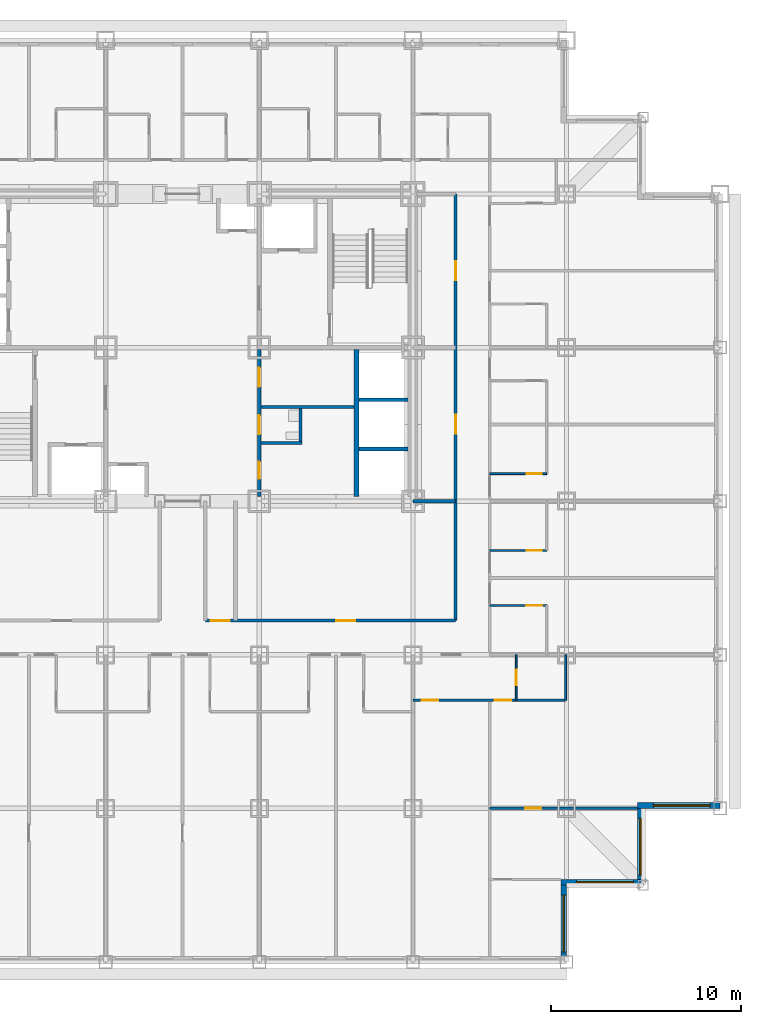
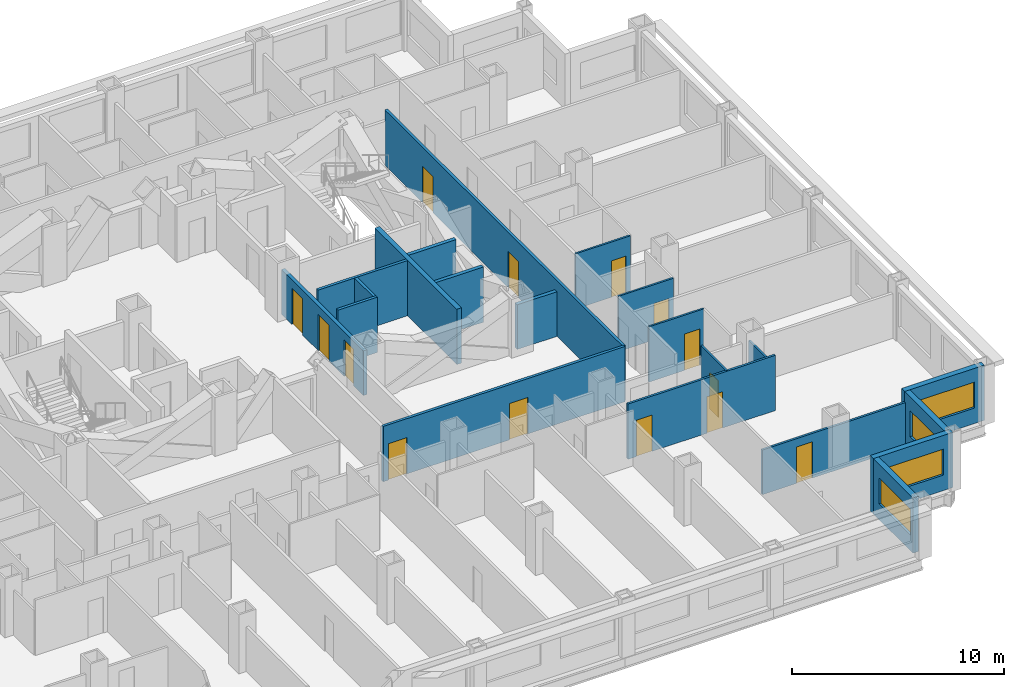
# One storey, part 6 of 12: 21 walls, 14 doors, 4 windows, 18 openings.
"""IFC4 building model written with IfcOpenShell, lengths in metres."""

from ifc_helpers import new_model, si_unit, direction, frame, frame_2d, origin, place, context, subcontext, project, spatial, rectangle, extrude, material, layer, layer_set, type_object, element, fill, save


model = new_model("IFC4")

# Units and contexts
model_context = context("Model", 3, precision=1e-05, world=origin(), true_north=direction((0.0, 1.0)))
body_context = subcontext(model_context, "Body", "Model", "MODEL_VIEW")
ifc_project = project(units=[si_unit("LENGTHUNIT", "METRE"), si_unit("AREAUNIT", "SQUARE_METRE"), si_unit("VOLUMEUNIT", "CUBIC_METRE"), si_unit("PLANEANGLEUNIT", "RADIAN"), si_unit("MASSUNIT", "GRAM", prefix="KILO")], contexts=[model_context])

# Site, building, storey
site_placement = place(None, origin())
site = spatial("IfcSite", under=ifc_project, at=site_placement, CompositionType="ELEMENT")
building_placement = place(site_placement, origin())
building = spatial("IfcBuilding", under=site, at=building_placement, Name="Kopane Lantern Tower", CompositionType="ELEMENT")
storey_placement = place(building_placement, frame((0.0, 0.0, 36.39990234375)))
storey = spatial("IfcBuildingStorey", under=building, at=storey_placement, Name="L07", CompositionType="ELEMENT", Elevation=36.39990234375)

# Wall, openings, doors
ifc_material_1 = material(Name="Gypsum board on steel studs", Category="steel")
ifc_layer_1 = layer(ifc_material_1, 0.1201171875)
ifc_layer_set_1 = layer_set([ifc_layer_1], Name="APARTMENT INTERNAL WALL 120")
wall_type_1 = type_object("IfcWallType", Name="APARTMENT INTERNAL WALL 120", PredefinedType="PARTITIONING", material=ifc_layer_set_1)
wall_1_placement = place(storey_placement, frame((40.5, 13.800048828125, 0.0), z_axis=(0.0, 0.0, 1.0), x_axis=(1.0, 0.0, 0.0)))
wall_1 = element("IfcWall", 1, at=wall_1_placement, inside=storey, type_object=wall_type_1, Name="Apartment Internal Wall 120 L07", PredefinedType="PARTITIONING", context=body_context, shape_type="SweptSolid", body=[
    extrude(rectangle(XDim=8.050048828125, YDim=0.1201171875, at=frame_2d((4.02490234375, 0.0))), origin(), (0.0, 0.0, 1.0), 3.190185546875),
])
opening_1_placement = place(wall_1_placement, frame((0.47509765625, 0.0, 0.0)))
opening_1 = element("IfcOpeningElement", 2, at=opening_1_placement, cuts=wall_1, Name="Opening L07-065", PredefinedType="OPENING", context=body_context, shape_type="SweptSolid", body=[
    extrude(rectangle(XDim=0.85009765625, YDim=2.10009765625, at=frame_2d((0.425048828125, 1.050048828125))), frame((0.0, 0.070068359375, 0.0), z_axis=(0.0, -1.0, 0.0), x_axis=(1.0, 0.0, 0.0)), (0.0, 0.0, 1.0), 0.14013671875),
])
opening_2_placement = place(wall_1_placement, frame((4.324951171875, 0.0, 0.0)))
opening_2 = element("IfcOpeningElement", 3, at=opening_2_placement, cuts=wall_1, Name="Opening L07-067", PredefinedType="OPENING", context=body_context, shape_type="SweptSolid", body=[
    extrude(rectangle(XDim=0.85009765625, YDim=2.10009765625, at=frame_2d((0.425048828125, 1.050048828125))), frame((0.0, 0.070068359375, 0.0), z_axis=(0.0, -1.0, 0.0), x_axis=(1.0, 0.0, 0.0)), (0.0, 0.0, 1.0), 0.14013671875),
])
ifc_material_2 = material(Name="Timber door set", Category="wood")
door_type_1 = type_object("IfcDoorType", Name="DOOR D4 850x2100", OperationType="SINGLE_SWING_LEFT", PredefinedType="DOOR", material=ifc_material_2)
door_1_placement = place(opening_1_placement, origin())
door_1 = element("IfcDoor", 4, at=door_1_placement, inside=storey, type_object=door_type_1, Name="Door L07-065", OperationType="SINGLE_SWING_LEFT", OverallHeight=2.10009765625, OverallWidth=0.85009765625, PredefinedType="DOOR", context=body_context, shape_type="SweptSolid", body=[
    extrude(rectangle(XDim=0.85009765625, YDim=2.10009765625, at=frame_2d((0.425048828125, 1.050048828125))), frame((0.0, 0.02490234375, 0.0), z_axis=(0.0, -1.0, 0.0), x_axis=(1.0, 0.0, 0.0)), (0.0, 0.0, 1.0), 0.050048828125),
])
fill(opening_1, door_1)
door_2_placement = place(opening_2_placement, origin())
door_2 = element("IfcDoor", 5, at=door_2_placement, inside=storey, type_object=door_type_1, Name="Door L07-067", OperationType="SINGLE_SWING_RIGHT", OverallHeight=2.10009765625, OverallWidth=0.85009765625, PredefinedType="DOOR", context=body_context, shape_type="SweptSolid", body=[
    extrude(rectangle(XDim=0.85009765625, YDim=2.10009765625, at=frame_2d((0.425048828125, 1.050048828125))), frame((0.0, 0.02490234375, 0.0), z_axis=(0.0, -1.0, 0.0), x_axis=(1.0, 0.0, 0.0)), (0.0, 0.0, 1.0), 0.050048828125),
])
fill(opening_2, door_2)

# Wall, opening, door
wall_2_placement = place(storey_placement, frame((44.550048828125, 8.10009765625, 0.0), z_axis=(0.0, 0.0, 1.0), x_axis=(1.0, 0.0, 0.0)))
wall_2 = element("IfcWall", 6, at=wall_2_placement, inside=storey, type_object=wall_type_1, Name="Apartment Internal Wall 120 L07", PredefinedType="PARTITIONING", context=body_context, shape_type="SweptSolid", body=[
    extrude(rectangle(XDim=7.800048828125, YDim=0.1201171875, at=frame_2d((3.89990234375, 0.0))), origin(), (0.0, 0.0, 1.0), 2.577880859375),
])
opening_3_placement = place(wall_2_placement, frame((1.875, 0.0, 0.0)))
opening_3 = element("IfcOpeningElement", 7, at=opening_3_placement, cuts=wall_2, Name="Opening L07-068", PredefinedType="OPENING", context=body_context, shape_type="SweptSolid", body=[
    extrude(rectangle(XDim=0.85009765625, YDim=2.10009765625, at=frame_2d((0.425048828125, 1.050048828125))), frame((0.0, 0.070068359375, 0.0), z_axis=(0.0, -1.0, 0.0), x_axis=(1.0, 0.0, 0.0)), (0.0, 0.0, 1.0), 0.14013671875),
])
door_3_placement = place(opening_3_placement, origin())
door_3 = element("IfcDoor", 8, at=door_3_placement, inside=storey, type_object=door_type_1, Name="Door L07-068", OperationType="SINGLE_SWING_LEFT", OverallHeight=2.10009765625, OverallWidth=0.85009765625, PredefinedType="DOOR", context=body_context, shape_type="SweptSolid", body=[
    extrude(rectangle(XDim=0.85009765625, YDim=2.10009765625, at=frame_2d((0.425048828125, 1.050048828125))), frame((0.0, 0.02490234375, 0.0), z_axis=(0.0, -1.0, 0.0), x_axis=(1.0, 0.0, 0.0)), (0.0, 0.0, 1.0), 0.050048828125),
])
fill(opening_3, door_3)

ifc_material_3 = material(Name="Moisture-resistant board on steel studs", Category="steel")
ifc_layer_2 = layer(ifc_material_3, 0.10009765625)
ifc_layer_set_2 = layer_set([ifc_layer_2], Name="BATHROOM WALL 100")
wall_type_2 = type_object("IfcWallType", Name="BATHROOM WALL 100", PredefinedType="PARTITIONING", material=ifc_layer_set_2)
wall_3_placement = place(storey_placement, frame((44.550048828125, 18.800048828125, 0.0), z_axis=(0.0, 0.0, 1.0), x_axis=(1.0, 0.0, 0.0)))
wall_3 = element("IfcWall", 9, at=wall_3_placement, inside=storey, type_object=wall_type_2, Name="Bathroom Wall 100 L07", PredefinedType="PARTITIONING", context=body_context, shape_type="SweptSolid", body=[
    extrude(rectangle(XDim=3.0, YDim=0.10009765625, at=frame_2d((1.5, 0.0))), origin(), (0.0, 0.0, 1.0), 3.190185546875),
])
opening_4_placement = place(wall_3_placement, frame((1.925048828125, 0.0, 0.0)))
opening_4 = element("IfcOpeningElement", 10, at=opening_4_placement, cuts=wall_3, Name="Opening L07-047", PredefinedType="OPENING", context=body_context, shape_type="SweptSolid", body=[
    extrude(rectangle(XDim=0.85009765625, YDim=2.10009765625, at=frame_2d((0.425048828125, 1.050048828125))), frame((0.0, 0.06005859375, 0.0), z_axis=(0.0, -1.0, 0.0), x_axis=(1.0, 0.0, 0.0)), (0.0, 0.0, 1.0), 0.1201171875),
])
door_4_placement = place(opening_4_placement, origin())
door_4 = element("IfcDoor", 11, at=door_4_placement, inside=storey, type_object=door_type_1, Name="Door L07-047", OperationType="SINGLE_SWING_LEFT", OverallHeight=2.10009765625, OverallWidth=0.85009765625, PredefinedType="DOOR", context=body_context, shape_type="SweptSolid", body=[
    extrude(rectangle(XDim=0.85009765625, YDim=2.10009765625, at=frame_2d((0.425048828125, 1.050048828125))), frame((0.0, 0.02490234375, 0.0), z_axis=(0.0, -1.0, 0.0), x_axis=(1.0, 0.0, 0.0)), (0.0, 0.0, 1.0), 0.050048828125),
])
fill(opening_4, door_4)

wall_4_placement = place(storey_placement, frame((44.550048828125, 21.699951171875, 0.0), z_axis=(0.0, 0.0, 1.0), x_axis=(1.0, 0.0, 0.0)))
wall_4 = element("IfcWall", 12, at=wall_4_placement, inside=storey, type_object=wall_type_2, Name="Bathroom Wall 100 L07", PredefinedType="PARTITIONING", context=body_context, shape_type="SweptSolid", body=[
    extrude(rectangle(XDim=3.0, YDim=0.10009765625, at=frame_2d((1.5, 0.0))), origin(), (0.0, 0.0, 1.0), 3.190185546875),
])
opening_5_placement = place(wall_4_placement, frame((1.949951171875, 0.0, 0.0)))
opening_5 = element("IfcOpeningElement", 13, at=opening_5_placement, cuts=wall_4, Name="Opening L07-049", PredefinedType="OPENING", context=body_context, shape_type="SweptSolid", body=[
    extrude(rectangle(XDim=0.800048828125, YDim=2.10009765625, at=frame_2d((0.39990234375, 1.050048828125))), frame((0.0, 0.06005859375, 0.0), z_axis=(0.0, -1.0, 0.0), x_axis=(1.0, 0.0, 0.0)), (0.0, 0.0, 1.0), 0.1201171875),
])
ifc_material_4 = material(Name="Timber door set", Category="wood")
door_type_2 = type_object("IfcDoorType", Name="DOOR D2 800x2100", OperationType="SINGLE_SWING_LEFT", PredefinedType="DOOR", material=ifc_material_4)
door_5_placement = place(opening_5_placement, origin())
door_5 = element("IfcDoor", 14, at=door_5_placement, inside=storey, type_object=door_type_2, Name="Door L07-049", OperationType="SINGLE_SWING_RIGHT", OverallHeight=2.10009765625, OverallWidth=0.800048828125, PredefinedType="DOOR", context=body_context, shape_type="SweptSolid", body=[
    extrude(rectangle(XDim=0.800048828125, YDim=2.10009765625, at=frame_2d((0.39990234375, 1.050048828125))), frame((0.0, 0.02490234375, 0.0), z_axis=(0.0, -1.0, 0.0), x_axis=(1.0, 0.0, 0.0)), (0.0, 0.0, 1.0), 0.050048828125),
])
fill(opening_5, door_5)

wall_5_placement = place(storey_placement, frame((44.550048828125, 25.75, 0.0), z_axis=(0.0, 0.0, 1.0), x_axis=(1.0, 0.0, 0.0)))
wall_5 = element("IfcWall", 15, at=wall_5_placement, inside=storey, type_object=wall_type_2, Name="Bathroom Wall 100 L07", PredefinedType="PARTITIONING", context=body_context, shape_type="SweptSolid", body=[
    extrude(rectangle(XDim=3.0, YDim=0.10009765625, at=frame_2d((1.5, 0.0))), origin(), (0.0, 0.0, 1.0), 3.190185546875),
])
opening_6_placement = place(wall_5_placement, frame((1.949951171875, 0.0, 0.0)))
opening_6 = element("IfcOpeningElement", 16, at=opening_6_placement, cuts=wall_5, Name="Opening L07-051", PredefinedType="OPENING", context=body_context, shape_type="SweptSolid", body=[
    extrude(rectangle(XDim=0.800048828125, YDim=2.10009765625, at=frame_2d((0.39990234375, 1.050048828125))), frame((0.0, 0.06005859375, 0.0), z_axis=(0.0, -1.0, 0.0), x_axis=(1.0, 0.0, 0.0)), (0.0, 0.0, 1.0), 0.1201171875),
])
door_6_placement = place(opening_6_placement, origin())
door_6 = element("IfcDoor", 17, at=door_6_placement, inside=storey, type_object=door_type_2, Name="Door L07-051", OperationType="SINGLE_SWING_RIGHT", OverallHeight=2.10009765625, OverallWidth=0.800048828125, PredefinedType="DOOR", context=body_context, shape_type="SweptSolid", body=[
    extrude(rectangle(XDim=0.800048828125, YDim=2.10009765625, at=frame_2d((0.39990234375, 1.050048828125))), frame((0.0, 0.02490234375, 0.0), z_axis=(0.0, -1.0, 0.0), x_axis=(1.0, 0.0, 0.0)), (0.0, 0.0, 1.0), 0.050048828125),
])
fill(opening_6, door_6)

wall_6_placement = place(storey_placement, frame((45.949951171875, 16.199951171875, 0.0), z_axis=(0.0, 0.0, 1.0), x_axis=(0.0, -1.0, 0.0)))
wall_6 = element("IfcWall", 18, at=wall_6_placement, inside=storey, type_object=wall_type_2, Name="Bathroom Wall 100 L07", PredefinedType="PARTITIONING", context=body_context, shape_type="SweptSolid", body=[
    extrude(rectangle(XDim=2.39990234375, YDim=0.10009765625, at=frame_2d((1.199951171875, 0.0))), origin(), (0.0, 0.0, 1.0), 3.190185546875),
])
opening_7_placement = place(wall_6_placement, frame((0.800048828125, 0.0, 0.0)))
opening_7 = element("IfcOpeningElement", 19, at=opening_7_placement, cuts=wall_6, Name="Opening L07-066", PredefinedType="OPENING", context=body_context, shape_type="SweptSolid", body=[
    extrude(rectangle(XDim=0.800048828125, YDim=2.10009765625, at=frame_2d((0.39990234375, 1.050048828125))), frame((0.0, 0.06005859375, 0.0), z_axis=(0.0, -1.0, 0.0), x_axis=(1.0, 0.0, 0.0)), (0.0, 0.0, 1.0), 0.1201171875),
])
door_7_placement = place(opening_7_placement, origin())
door_7 = element("IfcDoor", 20, at=door_7_placement, inside=storey, type_object=door_type_2, Name="Door L07-066", OperationType="SINGLE_SWING_LEFT", OverallHeight=2.10009765625, OverallWidth=0.800048828125, PredefinedType="DOOR", context=body_context, shape_type="SweptSolid", body=[
    extrude(rectangle(XDim=0.800048828125, YDim=2.10009765625, at=frame_2d((0.39990234375, 1.050048828125))), frame((0.0, 0.02490234375, 0.0), z_axis=(0.0, -1.0, 0.0), x_axis=(1.0, 0.0, 0.0)), (0.0, 0.0, 1.0), 0.050048828125),
])
fill(opening_7, door_7)

# Walls
wall_7_placement = place(storey_placement, frame((48.550048828125, 16.199951171875, 0.0), z_axis=(0.0, 0.0, 1.0), x_axis=(0.0, -1.0, 0.0)))
element("IfcWall", 21, at=wall_7_placement, inside=storey, type_object=wall_type_2, Name="Bathroom Wall 100 L07", PredefinedType="PARTITIONING", context=body_context, shape_type="SweptSolid", body=[
    extrude(rectangle(XDim=2.39990234375, YDim=0.10009765625, at=frame_2d((1.199951171875, 0.0))), origin(), (0.0, 0.0, 1.0), 2.577880859375),
])
ifc_material_5 = material(Name="Gypsum partition EI 60", Category="gypsum")
ifc_layer_3 = layer(ifc_material_5, 0.14990234375)
ifc_layer_set_3 = layer_set([ifc_layer_3], Name="CORE ROOM PARTITION 150 EI 60")
wall_type_3 = type_object("IfcWallType", Name="CORE ROOM PARTITION 150 EI 60", PredefinedType="PARTITIONING", material=ifc_layer_set_3)
wall_8_placement = place(storey_placement, frame((32.5, 27.375, 0.0), z_axis=(0.0, 0.0, 1.0), x_axis=(1.0, 0.0, 0.0)))
element("IfcWall", 22, at=wall_8_placement, inside=storey, type_object=wall_type_3, Name="Core room partition L07 E1", PredefinedType="PARTITIONING", context=body_context, shape_type="SweptSolid", body=[
    extrude(rectangle(XDim=2.14990234375, YDim=0.14990234375, at=frame_2d((1.074951171875, 0.0))), origin(), (0.0, 0.0, 1.0), 3.190185546875),
])
wall_9_placement = place(storey_placement, frame((32.5, 29.27490234375, 0.0), z_axis=(0.0, 0.0, 1.0), x_axis=(1.0, 0.0, 0.0)))
element("IfcWall", 23, at=wall_9_placement, inside=storey, type_object=wall_type_3, Name="Core room partition L07 E2", PredefinedType="PARTITIONING", context=body_context, shape_type="SweptSolid", body=[
    extrude(rectangle(XDim=4.89990234375, YDim=0.14990234375, at=frame_2d((2.449951171875, 0.0))), origin(), (0.0, 0.0, 1.0), 3.190185546875),
])
wall_10_placement = place(storey_placement, frame((34.574951171875, 27.449951171875, 0.0), z_axis=(0.0, 0.0, 1.0), x_axis=(0.0, 1.0, 0.0)))
element("IfcWall", 24, at=wall_10_placement, inside=storey, type_object=wall_type_3, Name="Core room partition L07 EB1", PredefinedType="PARTITIONING", context=body_context, shape_type="SweptSolid", body=[
    extrude(rectangle(XDim=1.75, YDim=0.14990234375, at=frame_2d((0.875, 0.0))), origin(), (0.0, 0.0, 1.0), 3.190185546875),
])

# Wall, openings, doors
ifc_material_6 = material(Name="Gypsum partition EI 60", Category="gypsum")
ifc_layer_4 = layer(ifc_material_6, 0.199951171875)
ifc_layer_set_4 = layer_set([ifc_layer_4], Name="CORE ROOM WALL 200 EI 60")
wall_type_4 = type_object("IfcWallType", Name="CORE ROOM WALL 200 EI 60", PredefinedType="PARTITIONING", material=ifc_layer_set_4)
wall_11_placement = place(storey_placement, frame((32.39990234375, 24.550048828125, 0.0), z_axis=(0.0, 0.0, 1.0), x_axis=(0.0, 1.0, 0.0)))
wall_11 = element("IfcWall", 25, at=wall_11_placement, inside=storey, type_object=wall_type_4, Name="Core room wall L07 XE", PredefinedType="PARTITIONING", context=body_context, shape_type="SweptSolid", body=[
    extrude(rectangle(XDim=7.75, YDim=0.199951171875, at=frame_2d((3.875, 0.0))), origin(), (0.0, 0.0, 1.0), 2.577880859375),
])
opening_8_placement = place(wall_11_placement, frame((0.925048828125, 0.0, 0.0)))
opening_8 = element("IfcOpeningElement", 26, at=opening_8_placement, cuts=wall_11, Name="Opening 07.C20", PredefinedType="OPENING", context=body_context, shape_type="SweptSolid", body=[
    extrude(rectangle(XDim=0.89990234375, YDim=2.10009765625, at=frame_2d((0.449951171875, 1.050048828125))), frame((0.0, 0.10986328125, 0.0), z_axis=(0.0, -1.0, 0.0), x_axis=(1.0, 0.0, 0.0)), (0.0, 0.0, 1.0), 0.219970703125),
])
opening_9_placement = place(wall_11_placement, frame((3.27490234375, 0.0, 0.0)))
opening_9 = element("IfcOpeningElement", 27, at=opening_9_placement, cuts=wall_11, Name="Opening 07.C21", PredefinedType="OPENING", context=body_context, shape_type="SweptSolid", body=[
    extrude(rectangle(XDim=1.0, YDim=2.10009765625, at=frame_2d((0.5, 1.050048828125))), frame((0.0, 0.10986328125, 0.0), z_axis=(0.0, -1.0, 0.0), x_axis=(1.0, 0.0, 0.0)), (0.0, 0.0, 1.0), 0.219970703125),
])
opening_10_placement = place(wall_11_placement, frame((5.77490234375, 0.0, 0.0)))
opening_10 = element("IfcOpeningElement", 28, at=opening_10_placement, cuts=wall_11, Name="Opening 07.C22", PredefinedType="OPENING", context=body_context, shape_type="SweptSolid", body=[
    extrude(rectangle(XDim=1.0, YDim=2.10009765625, at=frame_2d((0.5, 1.050048828125))), frame((0.0, 0.10986328125, 0.0), z_axis=(0.0, -1.0, 0.0), x_axis=(1.0, 0.0, 0.0)), (0.0, 0.0, 1.0), 0.219970703125),
])
ifc_material_7 = material(Name="Steel door set", Category="steel")
door_type_3 = type_object("IfcDoorType", Name="CORE ROOM DOOR 1000x2100 FD30S", OperationType="SINGLE_SWING_RIGHT", PredefinedType="DOOR", material=ifc_material_7)
door_8_placement = place(opening_9_placement, origin())
door_8 = element("IfcDoor", 29, at=door_8_placement, inside=storey, type_object=door_type_3, Name="Door Staff WC L07", OperationType="SINGLE_SWING_LEFT", OverallHeight=2.10009765625, OverallWidth=1.0, PredefinedType="DOOR", context=body_context, shape_type="SweptSolid", body=[
    extrude(rectangle(XDim=1.0, YDim=2.10009765625, at=frame_2d((0.5, 1.050048828125))), frame((0.0, 0.02490234375, 0.0), z_axis=(0.0, -1.0, 0.0), x_axis=(1.0, 0.0, 0.0)), (0.0, 0.0, 1.0), 0.050048828125),
])
fill(opening_9, door_8)
door_9_placement = place(opening_10_placement, origin())
door_9 = element("IfcDoor", 30, at=door_9_placement, inside=storey, type_object=door_type_3, Name="Door Guest pantry L07", OperationType="SINGLE_SWING_RIGHT", OverallHeight=2.10009765625, OverallWidth=1.0, PredefinedType="DOOR", context=body_context, shape_type="SweptSolid", body=[
    extrude(rectangle(XDim=1.0, YDim=2.10009765625, at=frame_2d((0.5, 1.050048828125))), frame((0.0, 0.02490234375, 0.0), z_axis=(0.0, -1.0, 0.0), x_axis=(1.0, 0.0, 0.0)), (0.0, 0.0, 1.0), 0.050048828125),
])
fill(opening_10, door_9)
ifc_material_8 = material(Name="Steel door set", Category="steel")
door_type_4 = type_object("IfcDoorType", Name="CORE ROOM DOOR 900x2100 FD60", OperationType="SINGLE_SWING_LEFT", PredefinedType="DOOR", material=ifc_material_8)
door_10_placement = place(opening_8_placement, origin())
door_10 = element("IfcDoor", 31, at=door_10_placement, inside=storey, type_object=door_type_4, Name="Door Luggage store L07", OperationType="SINGLE_SWING_LEFT", OverallHeight=2.10009765625, OverallWidth=0.89990234375, PredefinedType="DOOR", context=body_context, shape_type="SweptSolid", body=[
    extrude(rectangle(XDim=0.89990234375, YDim=2.10009765625, at=frame_2d((0.449951171875, 1.050048828125))), frame((0.0, 0.02490234375, 0.0), z_axis=(0.0, -1.0, 0.0), x_axis=(1.0, 0.0, 0.0)), (0.0, 0.0, 1.0), 0.050048828125),
])
fill(opening_8, door_10)

# Wall
ifc_material_9 = material(Name="Gypsum shaft wall EI 120", Category="gypsum")
ifc_layer_5 = layer(ifc_material_9, 0.25)
ifc_layer_set_5 = layer_set([ifc_layer_5], Name="CORE SHAFT WALL 250 EI 120")
wall_type_5 = type_object("IfcWallType", Name="CORE SHAFT WALL 250 EI 120", PredefinedType="SOLIDWALL", material=ifc_layer_set_5)
wall_12_placement = place(storey_placement, frame((37.52490234375, 24.550048828125, 0.0), z_axis=(0.0, 0.0, 1.0), x_axis=(0.0, 1.0, 0.0)))
element("IfcWall", 32, at=wall_12_placement, inside=storey, type_object=wall_type_5, Name="Core shaft wall L07 XLR", PredefinedType="SOLIDWALL", context=body_context, shape_type="SweptSolid", body=[
    extrude(rectangle(XDim=7.75, YDim=0.25, at=frame_2d((3.875, 0.0))), origin(), (0.0, 0.0, 1.0), 3.190185546875),
])

# Wall, openings, doors
ifc_material_10 = material(Name="Gypsum board on steel studs", Category="steel")
ifc_layer_6 = layer(ifc_material_10, 0.14990234375)
ifc_layer_set_6 = layer_set([ifc_layer_6], Name="CORRIDOR WALL 150 EI 60")
wall_type_6 = type_object("IfcWallType", Name="CORRIDOR WALL 150 EI 60", PredefinedType="PARTITIONING", material=ifc_layer_set_6)
wall_13_placement = place(storey_placement, frame((42.75, 18.0, 0.0), z_axis=(0.0, 0.0, 1.0), x_axis=(0.0, 1.0, 0.0)))
wall_13 = element("IfcWall", 33, at=wall_13_placement, inside=storey, type_object=wall_type_6, Name="Corridor Wall 150 Ei 60 L07", PredefinedType="PARTITIONING", context=body_context, shape_type="SweptSolid", body=[
    extrude(rectangle(XDim=22.5, YDim=0.14990234375, at=frame_2d((11.25, 0.0))), origin(), (0.0, 0.0, 1.0), 3.190185546875),
])
opening_11_placement = place(wall_13_placement, frame((9.85009765625, 0.0, 0.0)))
opening_11 = element("IfcOpeningElement", 34, at=opening_11_placement, cuts=wall_13, Name="Opening L07-003", PredefinedType="OPENING", context=body_context, shape_type="SweptSolid", body=[
    extrude(rectangle(XDim=1.0, YDim=2.10009765625, at=frame_2d((0.5, 1.050048828125))), frame((0.0, 0.0849609375, 0.0), z_axis=(0.0, -1.0, 0.0), x_axis=(1.0, 0.0, 0.0)), (0.0, 0.0, 1.0), 0.169921875),
])
opening_12_placement = place(wall_13_placement, frame((17.949951171875, 0.0, 0.0)))
opening_12 = element("IfcOpeningElement", 35, at=opening_12_placement, cuts=wall_13, Name="Opening L07-004", PredefinedType="OPENING", context=body_context, shape_type="SweptSolid", body=[
    extrude(rectangle(XDim=1.0, YDim=2.10009765625, at=frame_2d((0.5, 1.050048828125))), frame((0.0, 0.0849609375, 0.0), z_axis=(0.0, -1.0, 0.0), x_axis=(1.0, 0.0, 0.0)), (0.0, 0.0, 1.0), 0.169921875),
])
ifc_material_11 = material(Name="Steel door set", Category="steel")
door_type_5 = type_object("IfcDoorType", Name="DOOR D5 1000x2100 FD60", OperationType="SINGLE_SWING_LEFT", PredefinedType="DOOR", material=ifc_material_11)
door_11_placement = place(opening_11_placement, origin())
door_11 = element("IfcDoor", 36, at=door_11_placement, inside=storey, type_object=door_type_5, Name="Door L07-003", OperationType="SINGLE_SWING_LEFT", OverallHeight=2.10009765625, OverallWidth=1.0, PredefinedType="DOOR", context=body_context, shape_type="SweptSolid", body=[
    extrude(rectangle(XDim=1.0, YDim=2.10009765625, at=frame_2d((0.5, 1.050048828125))), frame((0.0, 0.02490234375, 0.0), z_axis=(0.0, -1.0, 0.0), x_axis=(1.0, 0.0, 0.0)), (0.0, 0.0, 1.0), 0.050048828125),
])
fill(opening_11, door_11)
door_12_placement = place(opening_12_placement, origin())
door_12 = element("IfcDoor", 37, at=door_12_placement, inside=storey, type_object=door_type_5, Name="Door L07-004", OperationType="SINGLE_SWING_RIGHT", OverallHeight=2.10009765625, OverallWidth=1.0, PredefinedType="DOOR", context=body_context, shape_type="SweptSolid", body=[
    extrude(rectangle(XDim=1.0, YDim=2.10009765625, at=frame_2d((0.5, 1.050048828125))), frame((0.0, 0.02490234375, 0.0), z_axis=(0.0, -1.0, 0.0), x_axis=(1.0, 0.0, 0.0)), (0.0, 0.0, 1.0), 0.050048828125),
])
fill(opening_12, door_12)

wall_14_placement = place(storey_placement, frame((29.56005859375, 18.0, 0.0), z_axis=(0.0, 0.0, 1.0), x_axis=(1.0, 0.0, 0.0)))
wall_14 = element("IfcWall", 38, at=wall_14_placement, inside=storey, type_object=wall_type_6, Name="Corridor Wall 150 Ei 60 L07", PredefinedType="PARTITIONING", context=body_context, shape_type="SweptSolid", body=[
    extrude(rectangle(XDim=13.18994140625, YDim=0.14990234375, at=frame_2d((6.594970703125, 0.0))), origin(), (0.0, 0.0, 1.0), 3.190185546875),
])
opening_13_placement = place(wall_14_placement, frame((0.2900390625, 0.0, 0.0)))
opening_13 = element("IfcOpeningElement", 39, at=opening_13_placement, cuts=wall_14, Name="Opening L07-007", PredefinedType="OPENING", context=body_context, shape_type="SweptSolid", body=[
    extrude(rectangle(XDim=1.0, YDim=2.10009765625, at=frame_2d((0.5, 1.050048828125))), frame((0.0, 0.0849609375, 0.0), z_axis=(0.0, -1.0, 0.0), x_axis=(1.0, 0.0, 0.0)), (0.0, 0.0, 1.0), 0.169921875),
])
opening_14_placement = place(wall_14_placement, frame((6.889892578125, 0.0, 0.0)))
opening_14 = element("IfcOpeningElement", 40, at=opening_14_placement, cuts=wall_14, Name="Opening L07-008", PredefinedType="OPENING", context=body_context, shape_type="SweptSolid", body=[
    extrude(rectangle(XDim=1.0, YDim=2.10009765625, at=frame_2d((0.5, 1.050048828125))), frame((0.0, 0.0849609375, 0.0), z_axis=(0.0, -1.0, 0.0), x_axis=(1.0, 0.0, 0.0)), (0.0, 0.0, 1.0), 0.169921875),
])
door_13_placement = place(opening_13_placement, origin())
door_13 = element("IfcDoor", 41, at=door_13_placement, inside=storey, type_object=door_type_5, Name="Door L07-007", OperationType="SINGLE_SWING_LEFT", OverallHeight=2.10009765625, OverallWidth=1.0, PredefinedType="DOOR", context=body_context, shape_type="SweptSolid", body=[
    extrude(rectangle(XDim=1.0, YDim=2.10009765625, at=frame_2d((0.5, 1.050048828125))), frame((0.0, 0.02490234375, 0.0), z_axis=(0.0, -1.0, 0.0), x_axis=(1.0, 0.0, 0.0)), (0.0, 0.0, 1.0), 0.050048828125),
])
fill(opening_13, door_13)
door_14_placement = place(opening_14_placement, origin())
door_14 = element("IfcDoor", 42, at=door_14_placement, inside=storey, type_object=door_type_5, Name="Door L07-008", OperationType="SINGLE_SWING_RIGHT", OverallHeight=2.10009765625, OverallWidth=1.0, PredefinedType="DOOR", context=body_context, shape_type="SweptSolid", body=[
    extrude(rectangle(XDim=1.0, YDim=2.10009765625, at=frame_2d((0.5, 1.050048828125))), frame((0.0, 0.02490234375, 0.0), z_axis=(0.0, -1.0, 0.0), x_axis=(1.0, 0.0, 0.0)), (0.0, 0.0, 1.0), 0.050048828125),
])
fill(opening_14, door_14)

# Wall, opening, window
ifc_material_12 = material(Name="Terracotta rainscreen on light steel framing", Category="masonry")
ifc_layer_7 = layer(ifc_material_12, 0.300048828125)
ifc_layer_set_7 = layer_set([ifc_layer_7], Name="EXTERNAL WALL EW1 300 TERRACOTTA")
wall_type_7 = type_object("IfcWallType", Name="EXTERNAL WALL EW1 300 TERRACOTTA", PredefinedType="SOLIDWALL", material=ifc_layer_set_7)
wall_15_placement = place(storey_placement, frame((48.449951171875, 0.300048828125, 0.0), z_axis=(0.0, 0.0, 1.0), x_axis=(0.0, 1.0, 0.0)))
wall_15 = element("IfcWall", 43, at=wall_15_placement, inside=storey, type_object=wall_type_7, Name="External wall E L07", PredefinedType="SOLIDWALL", context=body_context, shape_type="SweptSolid", body=[
    extrude(rectangle(XDim=3.75, YDim=0.300048828125, at=frame_2d((1.875, 0.0))), origin(), (0.0, 0.0, 1.0), 3.190185546875),
])
opening_15_placement = place(wall_15_placement, frame((0.22509765625, 0.0, 0.89990234375)))
opening_15 = element("IfcOpeningElement", 44, at=opening_15_placement, cuts=wall_15, Name="Opening WR300150", PredefinedType="OPENING", context=body_context, shape_type="SweptSolid", body=[
    extrude(rectangle(XDim=3.0, YDim=1.5, at=frame_2d((1.5, 0.75))), frame((0.0, 0.159912109375, 0.0), z_axis=(0.0, -1.0, 0.0), x_axis=(1.0, 0.0, 0.0)), (0.0, 0.0, 1.0), 0.320068359375),
])
ifc_material_13 = material(Name="Aluminium and clear glass", Category="aluminium")
window_type = type_object("IfcWindowType", Name="RIBBON WINDOW WR300150 3000x1500", PartitioningType="SINGLE_PANEL", PredefinedType="WINDOW", material=ifc_material_13)
window_1_placement = place(opening_15_placement, origin())
window_1 = element("IfcWindow", 45, at=window_1_placement, inside=storey, type_object=window_type, Name="Window E L07", OverallHeight=1.5, OverallWidth=3.0, PartitioningType="SINGLE_PANEL", PredefinedType="WINDOW", context=body_context, shape_type="SweptSolid", body=[
    extrude(rectangle(XDim=3.0, YDim=1.5, at=frame_2d((1.5, 0.75))), frame((0.0, 0.030029296875, 0.0), z_axis=(0.0, -1.0, 0.0), x_axis=(1.0, 0.0, 0.0)), (0.0, 0.0, 1.0), 0.06005859375),
])
fill(opening_15, window_1)

wall_16_placement = place(storey_placement, frame((48.300048828125, 4.199951171875, 0.0), z_axis=(0.0, 0.0, 1.0), x_axis=(1.0, 0.0, 0.0)))
wall_16 = element("IfcWall", 46, at=wall_16_placement, inside=storey, type_object=wall_type_7, Name="External wall S L07", PredefinedType="SOLIDWALL", context=body_context, shape_type="SweptSolid", body=[
    extrude(rectangle(XDim=4.349853515625, YDim=0.300048828125, at=frame_2d((2.1748046875, 0.0))), origin(), (0.0, 0.0, 1.0), 3.190185546875),
])
opening_16_placement = place(wall_16_placement, frame((0.824951171875, 0.0, 0.89990234375)))
opening_16 = element("IfcOpeningElement", 47, at=opening_16_placement, cuts=wall_16, Name="Opening WR300150", PredefinedType="OPENING", context=body_context, shape_type="SweptSolid", body=[
    extrude(rectangle(XDim=3.0, YDim=1.5, at=frame_2d((1.5, 0.75))), frame((0.0, 0.159912109375, 0.0), z_axis=(0.0, -1.0, 0.0), x_axis=(1.0, 0.0, 0.0)), (0.0, 0.0, 1.0), 0.320068359375),
])
window_2_placement = place(opening_16_placement, origin())
window_2 = element("IfcWindow", 48, at=window_2_placement, inside=storey, type_object=window_type, Name="Window S L07", OverallHeight=1.5, OverallWidth=3.0, PartitioningType="SINGLE_PANEL", PredefinedType="WINDOW", context=body_context, shape_type="SweptSolid", body=[
    extrude(rectangle(XDim=3.0, YDim=1.5, at=frame_2d((1.5, 0.75))), frame((0.0, 0.030029296875, 0.0), z_axis=(0.0, -1.0, 0.0), x_axis=(1.0, 0.0, 0.0)), (0.0, 0.0, 1.0), 0.06005859375),
])
fill(opening_16, window_2)

wall_17_placement = place(storey_placement, frame((52.5, 4.35009765625, 0.0), z_axis=(0.0, 0.0, 1.0), x_axis=(0.0, 1.0, 0.0)))
wall_17 = element("IfcWall", 49, at=wall_17_placement, inside=storey, type_object=wall_type_7, Name="External wall E L07", PredefinedType="SOLIDWALL", context=body_context, shape_type="SweptSolid", body=[
    extrude(rectangle(XDim=3.75, YDim=0.300048828125, at=frame_2d((1.875, 0.0))), origin(), (0.0, 0.0, 1.0), 3.190185546875),
])
opening_17_placement = place(wall_17_placement, frame((0.22509765625, 0.0, 0.89990234375)))
opening_17 = element("IfcOpeningElement", 50, at=opening_17_placement, cuts=wall_17, Name="Opening WR300150", PredefinedType="OPENING", context=body_context, shape_type="SweptSolid", body=[
    extrude(rectangle(XDim=3.0, YDim=1.5, at=frame_2d((1.5, 0.75))), frame((0.0, 0.159912109375, 0.0), z_axis=(0.0, -1.0, 0.0), x_axis=(1.0, 0.0, 0.0)), (0.0, 0.0, 1.0), 0.320068359375),
])
window_3_placement = place(opening_17_placement, origin())
window_3 = element("IfcWindow", 51, at=window_3_placement, inside=storey, type_object=window_type, Name="Window E L07", OverallHeight=1.5, OverallWidth=3.0, PartitioningType="SINGLE_PANEL", PredefinedType="WINDOW", context=body_context, shape_type="SweptSolid", body=[
    extrude(rectangle(XDim=3.0, YDim=1.5, at=frame_2d((1.5, 0.75))), frame((0.0, 0.030029296875, 0.0), z_axis=(0.0, -1.0, 0.0), x_axis=(1.0, 0.0, 0.0)), (0.0, 0.0, 1.0), 0.06005859375),
])
fill(opening_17, window_3)

wall_18_placement = place(storey_placement, frame((52.35009765625, 8.25, 0.0), z_axis=(0.0, 0.0, 1.0), x_axis=(1.0, 0.0, 0.0)))
wall_18 = element("IfcWall", 52, at=wall_18_placement, inside=storey, type_object=wall_type_7, Name="External wall S L07", PredefinedType="SOLIDWALL", context=body_context, shape_type="SweptSolid", body=[
    extrude(rectangle(XDim=4.349853515625, YDim=0.300048828125, at=frame_2d((2.1748046875, 0.0))), origin(), (0.0, 0.0, 1.0), 3.190185546875),
])
opening_18_placement = place(wall_18_placement, frame((0.824951171875, 0.0, 0.89990234375)))
opening_18 = element("IfcOpeningElement", 53, at=opening_18_placement, cuts=wall_18, Name="Opening WR300150", PredefinedType="OPENING", context=body_context, shape_type="SweptSolid", body=[
    extrude(rectangle(XDim=3.0, YDim=1.5, at=frame_2d((1.5, 0.75))), frame((0.0, 0.159912109375, 0.0), z_axis=(0.0, -1.0, 0.0), x_axis=(1.0, 0.0, 0.0)), (0.0, 0.0, 1.0), 0.320068359375),
])
window_4_placement = place(opening_18_placement, origin())
window_4 = element("IfcWindow", 54, at=window_4_placement, inside=storey, type_object=window_type, Name="Window S L07", OverallHeight=1.5, OverallWidth=3.0, PartitioningType="SINGLE_PANEL", PredefinedType="WINDOW", context=body_context, shape_type="SweptSolid", body=[
    extrude(rectangle(XDim=3.0, YDim=1.5, at=frame_2d((1.5, 0.75))), frame((0.0, 0.030029296875, 0.0), z_axis=(0.0, -1.0, 0.0), x_axis=(1.0, 0.0, 0.0)), (0.0, 0.0, 1.0), 0.06005859375),
])
fill(opening_18, window_4)

# Walls
ifc_material_14 = material(Name="Concrete masonry", Category="masonry")
ifc_layer_8 = layer(ifc_material_14, 0.199951171875)
ifc_layer_set_8 = layer_set([ifc_layer_8], Name="PLANT ROOM WALL 200 EI 120")
wall_type_8 = type_object("IfcWallType", Name="PLANT ROOM WALL 200 EI 120", PredefinedType="SOLIDWALL", material=ifc_layer_set_8)
wall_19_placement = place(storey_placement, frame((40.5, 24.300048828125, 0.0), z_axis=(0.0, 0.0, 1.0), x_axis=(1.0, 0.0, 0.0)))
element("IfcWall", 55, at=wall_19_placement, inside=storey, type_object=wall_type_8, Name="Plant Room Wall 200 Ei 120 L07", PredefinedType="SOLIDWALL", context=body_context, shape_type="SweptSolid", body=[
    extrude(rectangle(XDim=2.25, YDim=0.199951171875, at=frame_2d((1.125, 0.0))), origin(), (0.0, 0.0, 1.0), 2.577880859375),
])
ifc_material_15 = material(Name="Gypsum shaft wall EI 120", Category="gypsum")
ifc_layer_9 = layer(ifc_material_15, 0.199951171875)
ifc_layer_set_9 = layer_set([ifc_layer_9], Name="SHAFT WALL 200 EI 120")
wall_type_9 = type_object("IfcWallType", Name="SHAFT WALL 200 EI 120", PredefinedType="SOLIDWALL", material=ifc_layer_set_9)
for number, where, z_axis, x_axis, name in (
    (56, (37.64990234375, 27.050048828125, 0.0), (0.0, 0.0, 1.0), (1.0, 0.0, 0.0), "Core shaft wall L07 YLR12"),
    (57, (37.64990234375, 29.64990234375, 0.0), (0.0, 0.0, 1.0), (1.0, 0.0, 0.0), "Core shaft wall L07 YLR23"),
):
    element("IfcWall", number, at=place(storey_placement, frame(where, z_axis=z_axis, x_axis=x_axis)), inside=storey, type_object=wall_type_9, Name=name, PredefinedType="SOLIDWALL", context=body_context, shape_type="SweptSolid", body=[
        extrude(rectangle(XDim=2.60009765625, YDim=0.199951171875, at=frame_2d((1.300048828125, 0.0))), origin(), (0.0, 0.0, 1.0), 3.190185546875),
    ])

save(model, "model.ifc")
